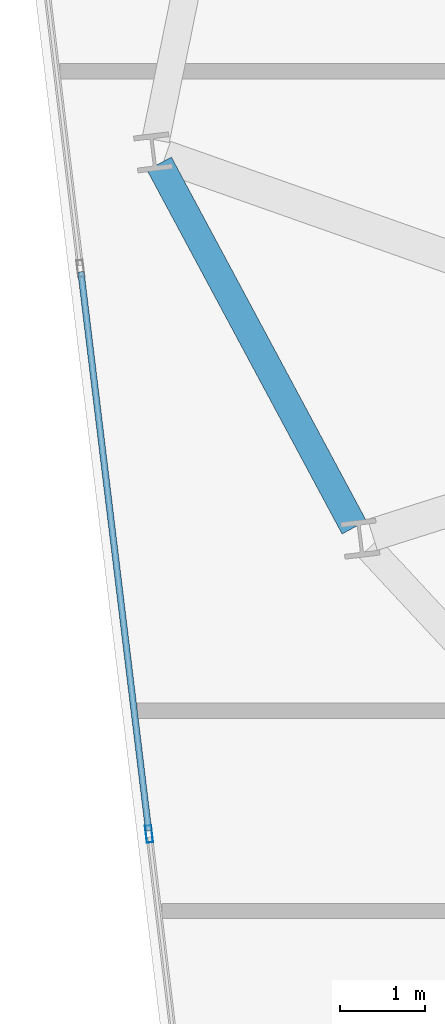
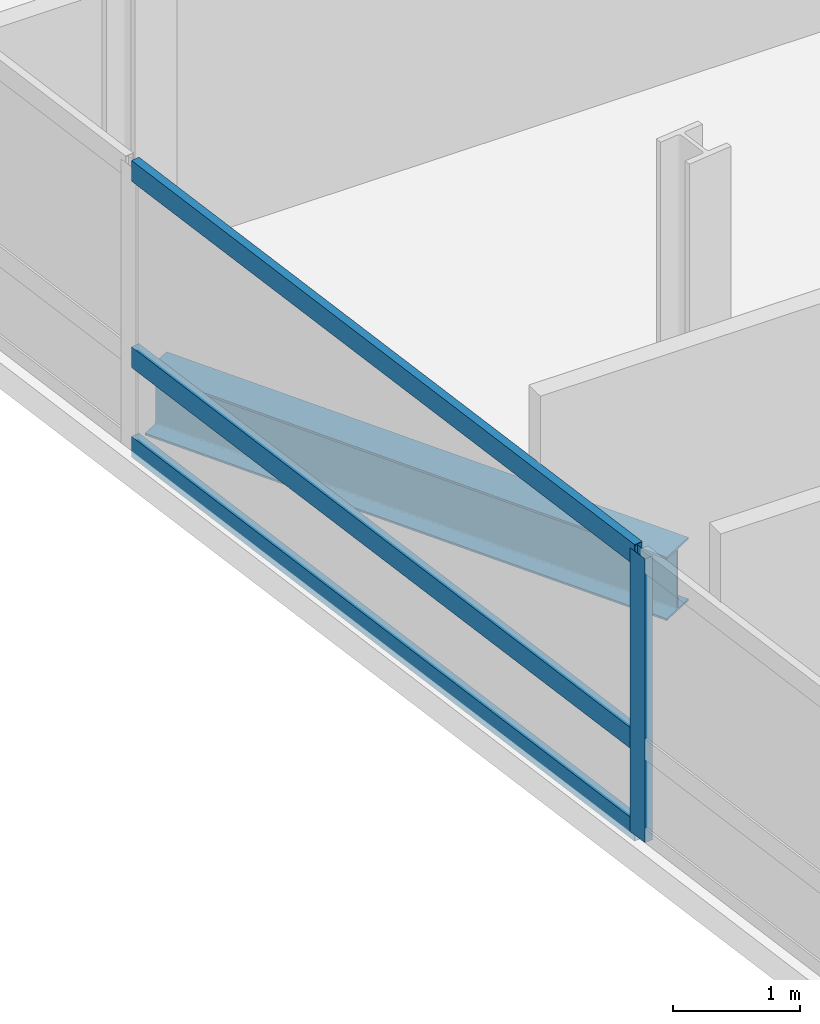
# One storey, part 4 of 23: 4 members, 1 beam, 1 element without a shape of its own.
"""IFC4 building model written with IfcOpenShell, lengths in metres."""

from ifc_helpers import new_model, si_unit, direction, frame, origin, origin_2d, place, context, subcontext, project, spatial, hollow_rectangle, i_section, extrude, material, layer, layer_set, material_profile, profile_set, type_object, element, aggregate, save


model = new_model("IFC4")

# Units and contexts
model_context = context("Model", 3, precision=1e-05, world=origin(), true_north=direction((0.0, 1.0)))
body_context = subcontext(model_context, "Body", "Model", "MODEL_VIEW")
ifc_project = project(units=[si_unit("LENGTHUNIT", "METRE"), si_unit("AREAUNIT", "SQUARE_METRE"), si_unit("VOLUMEUNIT", "CUBIC_METRE"), si_unit("PLANEANGLEUNIT", "RADIAN"), si_unit("MASSUNIT", "GRAM", prefix="KILO")], contexts=[model_context])

# Site, building, storey
site_placement = place(None, origin())
site = spatial("IfcSite", under=ifc_project, at=site_placement, CompositionType="ELEMENT")
building_placement = place(site_placement, origin())
building = spatial("IfcBuilding", under=site, at=building_placement, Name="Varnelok Gate Tower", CompositionType="ELEMENT")
storey_placement = place(building_placement, frame((0.0, 0.0, 174.60009765625)))
storey = spatial("IfcBuildingStorey", under=building, at=storey_placement, Name="L44", CompositionType="ELEMENT", Elevation=174.60009765625)

# Beam
ifc_material_1 = material(Name="Structural Steel ASTM A992 Grade 50", Category="steel")
ifc_material_profile_1 = material_profile(ifc_material_1, i_section(OverallWidth=0.323974609375, OverallDepth=0.611083984375, WebThickness=0.0126953125, FlangeThickness=0.01904296875, FilletRadius=0.01806640625, at=origin_2d()), Name="W24X104")
ifc_profile_set_1 = profile_set([ifc_material_profile_1], Name="Structural Steel ASTM A992 Grade 50")
beam_type = type_object("IfcBeamType", Name="BM-SPN-W24X104", PredefinedType="SPANDREL", material=ifc_profile_set_1)
beam_placement = place(storey_placement, frame((4.816650390625, 25.61474609375, -0.5556640625), z_axis=(0.472471917257, -0.881345725242, 0.0), x_axis=(0.881345725242, 0.472471917257, 0.0)))
element("IfcBeam", 1, at=beam_placement, inside=storey, type_object=beam_type, Name="L44 Perimeter Spandrel Beam 15", PredefinedType="SPANDREL", context=body_context, shape_type="SweptSolid", body=[
    extrude(i_section(OverallWidth=0.323974609375, OverallDepth=0.611083984375, WebThickness=0.0126953125, FlangeThickness=0.01904296875, FilletRadius=0.01806640625, at=origin_2d()), origin(), (0.0, 0.0, 1.0), 4.8408203125),
])

# Curtain wall, members
ifc_material_2 = material(Name="Anodized Aluminum Alloy 6063-T6", Category="aluminium")
ifc_layer = layer(ifc_material_2, 0.179931640625)
ifc_layer_set = layer_set([ifc_layer], Name="Anodized Aluminum Alloy 6063-T6")
curtain_wall_type = type_object("IfcCurtainWallType", Name="CW4-RESIDENCE-VISION", PredefinedType="USERDEFINED", material=ifc_layer_set)
curtain_wall_placement = place(storey_placement, origin())
curtain_wall = element("IfcCurtainWall", 2, at=curtain_wall_placement, inside=storey, type_object=curtain_wall_type, Name="L44 West End Vision Curtain Wall", ObjectType="UNITISED CURTAIN WALL", PredefinedType="USERDEFINED")
ifc_material_profile_2 = material_profile(ifc_material_2, hollow_rectangle(XDim=0.074951171875, YDim=0.199951171875, WallThickness=0.00390625, at=origin_2d()), Name="ALU200X75X4")
ifc_profile_set_2 = profile_set([ifc_material_profile_2], Name="Anodized Aluminum Alloy 6063-T6")
member_type_1 = type_object("IfcMemberType", Name="CW-MULL-200", PredefinedType="MULLION", material=ifc_profile_set_2)
member_1_placement = place(storey_placement, frame((4.697509765625, 17.7529296875, 0.0), z_axis=(0.0, 0.0, 1.0), x_axis=(-0.992732188751, -0.120344511371, 0.0)))
member_1 = element("IfcMember", 3, at=member_1_placement, type_object=member_type_1, Name="CW4 mullion 3", PredefinedType="MULLION", context=body_context, shape_type="SweptSolid", body=[
    extrude(hollow_rectangle(XDim=0.074951171875, YDim=0.199951171875, WallThickness=0.00390625, at=origin_2d()), origin(), (0.0, 0.0, 1.0), 2.72998046875),
])
ifc_material_profile_3 = material_profile(ifc_material_2, hollow_rectangle(XDim=0.074951171875, YDim=0.199951171875, WallThickness=0.00390625, at=origin_2d()), Name="ALU200X75X4")
ifc_profile_set_3 = profile_set([ifc_material_profile_3], Name="Anodized Aluminum Alloy 6063-T6")
member_type_2 = type_object("IfcMemberType", Name="CW-TRAN-200", PredefinedType="USERDEFINED", material=ifc_profile_set_3)
member_2_placement = place(storey_placement, frame((4.69287109375, 17.790283203125, 0.037353515625), z_axis=(-0.120317016873, 0.992735521401, 0.0), x_axis=(-0.992735521401, -0.120317016873, 0.0)))
member_2 = element("IfcMember", 4, at=member_2_placement, type_object=member_type_2, Name="CW4 transom 3.1", ObjectType="TRANSOM", PredefinedType="USERDEFINED", context=body_context, shape_type="SweptSolid", body=[
    extrude(hollow_rectangle(XDim=0.074951171875, YDim=0.199951171875, WallThickness=0.00390625, at=origin_2d()), origin(), (0.0, 0.0, 1.0), 6.60498046875),
])
member_3_placement = place(storey_placement, frame((4.69287109375, 17.790283203125, 0.89990234375), z_axis=(-0.120317016873, 0.992735521401, 0.0), x_axis=(-0.992735521401, -0.120317016873, 0.0)))
member_3 = element("IfcMember", 5, at=member_3_placement, type_object=member_type_2, Name="CW4 transom 3.2", ObjectType="TRANSOM", PredefinedType="USERDEFINED", context=body_context, shape_type="SweptSolid", body=[
    extrude(hollow_rectangle(XDim=0.074951171875, YDim=0.199951171875, WallThickness=0.00390625, at=origin_2d()), origin(), (0.0, 0.0, 1.0), 6.60498046875),
])
member_4_placement = place(storey_placement, frame((4.69287109375, 17.790283203125, 2.6923828125), z_axis=(-0.120317016873, 0.992735521401, 0.0), x_axis=(-0.992735521401, -0.120317016873, 0.0)))
member_4 = element("IfcMember", 6, at=member_4_placement, type_object=member_type_2, Name="CW4 transom 3.3", ObjectType="TRANSOM", PredefinedType="USERDEFINED", context=body_context, shape_type="SweptSolid", body=[
    extrude(hollow_rectangle(XDim=0.074951171875, YDim=0.199951171875, WallThickness=0.00390625, at=origin_2d()), origin(), (0.0, 0.0, 1.0), 6.60498046875),
])
aggregate(curtain_wall, [member_1, member_2, member_3, member_4])

save(model, "model.ifc")
